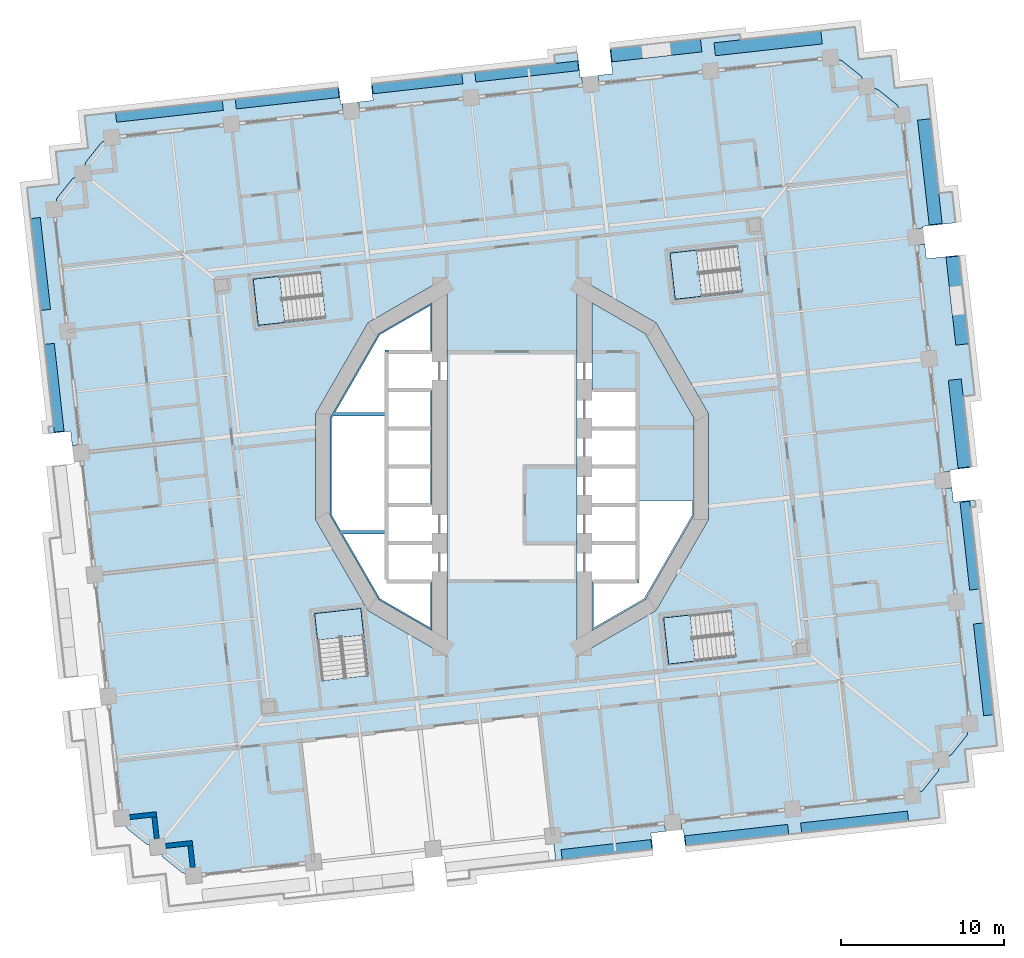
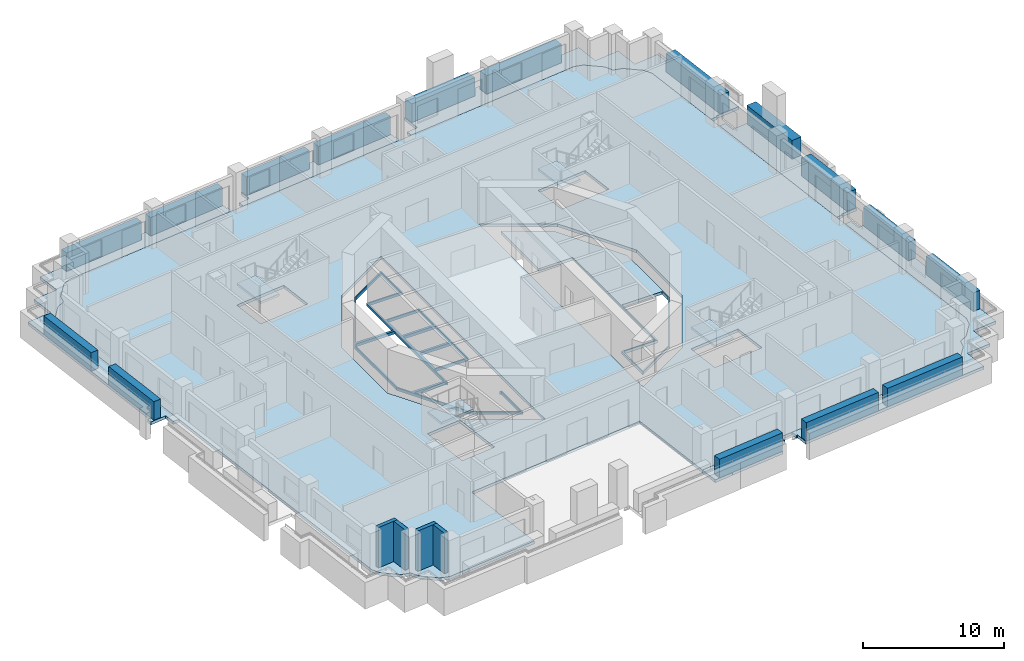
# One storey, part 3 of 18: 16 plates, 13 slabs, 4 walls, 4 elements without a shape of their own.
"""IFC4 building model written with IfcOpenShell, lengths in metres."""

import ifcopenshell
import ifcopenshell.guid

model = None  # the IFC model being written
_history = None  # IfcOwnerHistory: only IFC2X3 demands one
_inside = {}  # id of a spatial element -> (the spatial element, [elements in it])
_under = {}  # id of a project, library or spatial element -> (it, [spatial elements below it])
_declared = {}  # id of a project -> (the project, [libraries it declares])
_typed = {}  # id of a type object -> (the type object, [elements of that type])
_made_of = {}  # id of a material, layer set ... -> (it, [elements and type objects made of it])


def new_model(schema):
    """Start an empty IFC model of exactly this schema.

    Asked for "IFC4X3", IfcOpenShell would pick the latest addendum, in which some entities
    have other attributes; the version numbers below select the first issue.
    IFC2X3 requires an IfcOwnerHistory on every rooted entity: one is made here for all.
    """
    global model, _history
    if schema == "IFC4X3":
        model = ifcopenshell.file(schema_version=(4, 3, 0, 0))
    else:
        model = ifcopenshell.file(schema=schema)
    _inside.clear()
    _under.clear()
    _declared.clear()
    _typed.clear()
    _made_of.clear()
    _history = None
    if model.schema == "IFC2X3":
        org = make("IfcOrganization", Name="unknown")
        user = make(
            "IfcPersonAndOrganization",
            ThePerson=make("IfcPerson", FamilyName="unknown"),
            TheOrganization=org,
        )
        app = make(
            "IfcApplication",
            ApplicationDeveloper=org,
            Version="unknown",
            ApplicationFullName="unknown",
            ApplicationIdentifier="unknown",
        )
        _history = make(
            "IfcOwnerHistory",
            OwningUser=user,
            OwningApplication=app,
            ChangeAction="ADDED",
            CreationDate=0,
        )
    return model


def make(cls, **values):
    """One entity of the class cls with the attributes given. An attribute that is None is left unset."""
    return model.create_entity(
        cls, **{name: value for name, value in values.items() if value is not None}
    )


def rooted(cls, **values):
    """An entity with a GlobalId (a new one), such as an element, a storey or a relation."""
    return make(cls, GlobalId=ifcopenshell.guid.new(), OwnerHistory=_history, **values)


def si_unit(unit_type, name, prefix=None):
    """IfcSIUnit, for example si_unit("LENGTHUNIT", "METRE", prefix="MILLI")."""
    return make("IfcSIUnit", UnitType=unit_type, Prefix=prefix, Name=name)


def assignment(units):
    """IfcUnitAssignment: the units of a project."""
    return None if units is None else make("IfcUnitAssignment", Units=units)


def point(xyz):
    """IfcCartesianPoint."""
    return None if xyz is None else make("IfcCartesianPoint", Coordinates=xyz)


def direction(xyz):
    """IfcDirection."""
    return None if xyz is None else make("IfcDirection", DirectionRatios=xyz)


def frame(location, z_axis=None, x_axis=None):
    """IfcAxis2Placement3D, a coordinate frame: its origin and axes. An axis left out is left unset."""
    return make(
        "IfcAxis2Placement3D",
        Location=point(location),
        Axis=direction(z_axis),
        RefDirection=direction(x_axis),
    )


def frame_2d(location, x_axis=None):
    """IfcAxis2Placement2D, a coordinate frame in the plane: its origin and x axis."""
    return make(
        "IfcAxis2Placement2D", Location=point(location), RefDirection=direction(x_axis)
    )


def origin():
    """The frame at (0, 0, 0) with its axes left unset."""
    return frame((0.0, 0.0, 0.0))


def origin_2d():
    """The frame at (0, 0) in the plane with its x axis left unset."""
    return frame_2d((0.0, 0.0))


def place(relative_to, where):
    """IfcLocalPlacement: puts the frame where relative to a parent placement (None: the world)."""
    return make(
        "IfcLocalPlacement", PlacementRelTo=relative_to, RelativePlacement=where
    )


def context(
    kind, dimensions, precision=None, world=None, true_north=None, identifier=None
):
    """IfcGeometricRepresentationContext, for example the 3D "Model" context."""
    return make(
        "IfcGeometricRepresentationContext",
        ContextIdentifier=identifier,
        ContextType=kind,
        CoordinateSpaceDimension=dimensions,
        Precision=precision,
        WorldCoordinateSystem=world,
        TrueNorth=true_north,
    )


def subcontext(parent, identifier, kind, view, scale=None):
    """IfcGeometricRepresentationSubContext, for example "Body" below "Model"."""
    return make(
        "IfcGeometricRepresentationSubContext",
        ContextIdentifier=identifier,
        ContextType=kind,
        ParentContext=parent,
        TargetScale=scale,
        TargetView=view,
    )


def project(units=None, contexts=None):
    """IfcProject with its units and contexts."""
    return rooted(
        "IfcProject",
        Name="project",
        RepresentationContexts=contexts,
        UnitsInContext=assignment(units),
    )


def spatial(cls, under=None, at=None, **own):
    """A site, building, storey or space (cls), placed at a placement, below another one or the project."""
    s = rooted(cls, ObjectPlacement=at, **own)
    if under is not None:
        _under.setdefault(under.id(), (under, []))[1].append(s)
    return s


def polyline(points):
    """IfcPolyline through the points."""
    return make("IfcPolyline", Points=[point(p) for p in points])


def profile(cls, at=None, kind="AREA", **sizes):
    """A parametric profile (cls). Its sizes go by their IFC names, for example OverallWidth=200.0."""
    return make(cls, ProfileType=kind, Position=at, **sizes)


def rectangle(**sizes):
    """IfcRectangleProfileDef."""
    return profile("IfcRectangleProfileDef", **sizes)


def outline(outer, holes=None, kind="AREA"):
    """IfcArbitraryClosedProfileDef: a profile drawn as a closed curve; with holes, ...WithVoids."""
    if holes is None:
        return make("IfcArbitraryClosedProfileDef", ProfileType=kind, OuterCurve=outer)
    return make(
        "IfcArbitraryProfileDefWithVoids",
        ProfileType=kind,
        OuterCurve=outer,
        InnerCurves=holes,
    )


def extrude(swept, where, along, depth):
    """IfcExtrudedAreaSolid: the profile swept, set in the frame where, extruded along a direction by depth."""
    return make(
        "IfcExtrudedAreaSolid",
        SweptArea=swept,
        Position=where,
        ExtrudedDirection=direction(along),
        Depth=depth,
    )


def shape(context_of_items, identifier, shape_type, items):
    """IfcShapeRepresentation: the items that make up one representation, for example the "Body"."""
    return make(
        "IfcShapeRepresentation",
        ContextOfItems=context_of_items,
        RepresentationIdentifier=identifier,
        RepresentationType=shape_type,
        Items=items,
    )


def material(Name=None, Category=None):
    """IfcMaterial."""
    return make("IfcMaterial", Name=Name, Category=Category)


def layer(
    of_material, thickness, ventilated=None, Name=None, Category=None, Priority=None
):
    """IfcMaterialLayer: one layer of a wall or slab, of a material (None: an air gap)."""
    return make(
        "IfcMaterialLayer",
        Material=of_material,
        LayerThickness=thickness,
        IsVentilated=ventilated,
        Name=Name,
        Category=Category,
        Priority=Priority,
    )


def layer_set(layers, Name=None):
    """IfcMaterialLayerSet."""
    return make("IfcMaterialLayerSet", MaterialLayers=layers, LayerSetName=Name)


def made_of(thing, what):
    """Note that an element or type object is made of a material, layer set ...; save() writes the relation."""
    if what is not None:
        _made_of.setdefault(what.id(), (what, []))[1].append(thing)
    return thing


def type_object(cls, material=None, **own):
    """A type object (cls), such as IfcWallType, which elements share."""
    return made_of(rooted(cls, **own), material)


def element(
    cls,
    number,
    at=None,
    inside=None,
    cuts=None,
    type_object=None,
    material=None,
    context=None,
    identifier="Body",
    shape_type=None,
    held_by="IfcProductDefinitionShape",
    body=None,
    shapes=None,
    **own,
):
    """One element of the class cls, such as IfcWall. Its Tag is "e" and its number.

    at: its placement. inside: the storey or other place that contains it. cuts: it is an
    opening in that element (IfcRelVoidsElement). A single representation is given by context,
    identifier, shape_type and body (its items); several are given by shapes. held_by: the class
    of the entity that holds the representations. save() writes the other relations.
    """
    e = rooted(cls, Tag="e%d" % number, ObjectPlacement=at, **own)
    if body is not None:
        shapes = [shape(context, identifier, shape_type, body)]
    if shapes is not None:
        e.Representation = make(held_by, Representations=shapes)
    if inside is not None:
        _inside.setdefault(inside.id(), (inside, []))[1].append(e)
    if cuts is not None:
        rooted(
            "IfcRelVoidsElement", RelatingBuildingElement=cuts, RelatedOpeningElement=e
        )
    if type_object is not None:
        _typed.setdefault(type_object.id(), (type_object, []))[1].append(e)
    return made_of(e, material)


def aggregate(whole, parts):
    """IfcRelAggregates: a whole, such as a stair, and the parts it consists of."""
    return rooted("IfcRelAggregates", RelatingObject=whole, RelatedObjects=parts)


def save(model, path):
    """Write the relations noted so far, then the file.

    IfcRelAggregates (storeys below a building ...), IfcRelContainedInSpatialStructure (elements
    in a storey), IfcRelDefinesByType, IfcRelAssociatesMaterial and IfcRelDeclares: one each for
    every whole, place, type object, material and project.
    """
    for whole, parts in _under.values():
        aggregate(whole, parts)
    for where, things in _inside.values():
        rooted(
            "IfcRelContainedInSpatialStructure",
            RelatedElements=things,
            RelatingStructure=where,
        )
    for kind, things in _typed.values():
        rooted("IfcRelDefinesByType", RelatedObjects=things, RelatingType=kind)
    for what, things in _made_of.values():
        rooted("IfcRelAssociatesMaterial", RelatedObjects=things, RelatingMaterial=what)
    for by, libraries in _declared.values():
        rooted("IfcRelDeclares", RelatingContext=by, RelatedDefinitions=libraries)
    model.write(path)


model = new_model("IFC4")

# Units and contexts
model_context = context("Model", 3, precision=1e-05, world=origin(), true_north=direction((0.0, 1.0)))
body_context = subcontext(model_context, "Body", "Model", "MODEL_VIEW")
ifc_project = project(units=[si_unit("LENGTHUNIT", "METRE"), si_unit("AREAUNIT", "SQUARE_METRE"), si_unit("VOLUMEUNIT", "CUBIC_METRE"), si_unit("PLANEANGLEUNIT", "RADIAN"), si_unit("MASSUNIT", "GRAM", prefix="KILO")], contexts=[model_context])

# Site, building, storey
site_placement = place(None, origin())
site = spatial("IfcSite", under=ifc_project, at=site_placement, CompositionType="ELEMENT")
building_placement = place(site_placement, origin())
building = spatial("IfcBuilding", under=site, at=building_placement, Name="Cantera Rosa Tower", CompositionType="ELEMENT")
storey_placement = place(building_placement, frame((0.0, 0.0, 76.699951171875)))
storey = spatial("IfcBuildingStorey", under=building, at=storey_placement, Name="L16", CompositionType="ELEMENT", Elevation=76.699951171875)

# Slabs
ifc_material_1 = material(Name="Concrete C35/45", Category="concrete")
ifc_layer_1 = layer(ifc_material_1, 0.25)
ifc_layer_set_1 = layer_set([ifc_layer_1], Name="COMPOSITE FLOOR SLAB 250 C35/45")
slab_type_1 = type_object("IfcSlabType", Name="COMPOSITE FLOOR SLAB 250 C35/45", PredefinedType="FLOOR", material=ifc_layer_set_1)
slab_1_placement = place(storey_placement, frame((0.0, 0.0, -0.25)))
element("IfcSlab", 1, at=slab_1_placement, inside=storey, type_object=slab_type_1, Name="SLAB L16 floor 1", PredefinedType="FLOOR", context=body_context, shape_type="SweptSolid", body=[
    extrude(outline(polyline([(-8.106689453125, -8.106689453125), (-5.0, -9.900390625), (-5.0, -7.14990234375), (-5.0927734375, -7.050048828125), (-4.89990234375, -7.050048828125), (-4.89990234375, -10.07373046875), (-8.179931640625, -8.179931640625), (-11.174072265625, -2.994140625), (-11.174072265625, 2.994140625), (-8.179931640625, 8.179931640625), (-4.89990234375, 10.07373046875), (-4.89990234375, 7.050048828125), (-7.699951171875, 7.050048828125), (-7.699951171875, 4.699951171875), (-4.89990234375, 4.699951171875), (-4.89990234375, -2.35009765625), (-7.699951171875, -2.35009765625), (-7.699951171875, -4.2373046875), (-7.800048828125, -4.12939453125), (-10.403076171875, -4.12939453125), (-8.106689453125, -8.106689453125)]), holes=[polyline([(-7.60009765625, -2.25), (-5.0, -2.25), (-5.0, -0.10009765625), (-7.60009765625, -0.10009765625), (-7.60009765625, -2.25)]), polyline([(-11.07421875, -2.96728515625), (-10.5185546875, -3.929443359375), (-7.800048828125, -3.929443359375), (-7.800048828125, -2.449951171875), (-7.800048828125, -2.25), (-7.800048828125, 2.25), (-7.800048828125, 2.449951171875), (-7.800048828125, 3.12353515625), (-10.98388671875, 3.12353515625), (-11.07421875, 2.96728515625), (-11.07421875, -2.96728515625)]), polyline([(-5.0, 0.10009765625), (-5.0, 2.25), (-7.60009765625, 2.25), (-7.60009765625, 0.10009765625), (-5.0, 0.10009765625)]), polyline([(-5.0, 2.449951171875), (-5.0, 4.60009765625), (-7.60009765625, 4.60009765625), (-7.60009765625, 2.449951171875), (-5.0, 2.449951171875)]), polyline([(-10.868408203125, 3.323486328125), (-7.800048828125, 3.323486328125), (-7.800048828125, 7.14990234375), (-5.0, 7.14990234375), (-5.0, 9.900390625), (-8.106689453125, 8.106689453125), (-10.868408203125, 3.323486328125)])]), origin(), (0.0, 0.0, 1.0), 0.25),
])
slab_2_placement = place(storey_placement, frame((0.0, 0.0, -0.25)))
element("IfcSlab", 2, at=slab_2_placement, inside=storey, type_object=slab_type_1, Name="SLAB L16 floor 2", PredefinedType="FLOOR", context=body_context, shape_type="SweptSolid", body=[
    extrude(outline(polyline([(-21.39306640625, -24.018798828125), (-21.415283203125, -23.999267578125), (-21.435302734375, -23.9775390625), (-21.453125, -23.9541015625), (-21.468505859375, -23.92919921875), (-21.7578125, -23.342529296875), (-22.393310546875, -23.18896484375), (-22.42138671875, -23.179443359375), (-22.447998046875, -23.1669921875), (-22.473388671875, -23.15234375), (-22.497314453125, -23.135009765625), (-23.6015625, -22.25146484375), (-23.62353515625, -22.23193359375), (-23.643798828125, -22.21044921875), (-23.66162109375, -22.18701171875), (-23.677001953125, -22.161865234375), (-23.96630859375, -21.575439453125), (-28.114013671875, 15.795166015625), (-27.960205078125, 16.4306640625), (-27.95068359375, 16.45849609375), (-27.9384765625, 16.4853515625), (-27.923583984375, 16.5107421875), (-27.906494140625, 16.53466796875), (-27.022705078125, 17.638916015625), (-27.00341796875, 17.660888671875), (-26.981689453125, 17.680908203125), (-26.958251953125, 17.69873046875), (-26.933349609375, 17.714111328125), (-26.3466796875, 18.00341796875), (-26.193115234375, 18.63916015625), (-26.18359375, 18.6669921875), (-26.17138671875, 18.693603515625), (-26.156494140625, 18.71923828125), (-26.139404296875, 18.742919921875), (-25.255615234375, 19.84716796875), (-25.236083984375, 19.869384765625), (-25.214599609375, 19.889404296875), (-25.191162109375, 19.9072265625), (-25.166015625, 19.922607421875), (-24.57958984375, 20.2119140625), (18.642578125, 25.00927734375), (19.54931640625, 25.10986328125), (20.18505859375, 24.9560546875), (20.212890625, 24.946533203125), (20.239501953125, 24.934326171875), (20.26513671875, 24.91943359375), (20.288818359375, 24.902099609375), (21.39306640625, 24.018798828125), (21.415283203125, 23.999267578125), (21.435302734375, 23.9775390625), (21.453125, 23.9541015625), (21.468505859375, 23.92919921875), (21.7578125, 23.342529296875), (22.393310546875, 23.18896484375), (22.42138671875, 23.179443359375), (22.447998046875, 23.1669921875), (22.473388671875, 23.15234375), (22.497314453125, 23.135009765625), (23.6015625, 22.25146484375), (23.62353515625, 22.23193359375), (23.643798828125, 22.21044921875), (23.66162109375, 22.18701171875), (23.677001953125, 22.161865234375), (23.96630859375, 21.575439453125), (28.114013671875, -15.795166015625), (27.960205078125, -16.4306640625), (27.95068359375, -16.45849609375), (27.9384765625, -16.4853515625), (27.923583984375, -16.5107421875), (27.906494140625, -16.53466796875), (27.022705078125, -17.638916015625), (27.00341796875, -17.660888671875), (26.981689453125, -17.680908203125), (26.958251953125, -17.69873046875), (26.933349609375, -17.714111328125), (26.3466796875, -18.00341796875), (26.193115234375, -18.63916015625), (26.18359375, -18.6669921875), (26.17138671875, -18.693603515625), (26.156494140625, -18.71923828125), (26.139404296875, -18.742919921875), (25.255615234375, -19.84716796875), (25.236083984375, -19.869384765625), (25.214599609375, -19.889404296875), (25.191162109375, -19.9072265625), (25.166015625, -19.922607421875), (24.57958984375, -20.2119140625), (2.51513671875, -22.660888671875), (1.687744140625, -15.20654296875), (-13.02197265625, -16.839111328125), (-12.194580078125, -24.29345703125), (-18.642578125, -25.00927734375), (-19.54931640625, -25.10986328125), (-20.18505859375, -24.9560546875), (-20.212890625, -24.946533203125), (-20.239501953125, -24.934326171875), (-20.26513671875, -24.91943359375), (-20.288818359375, -24.902099609375), (-21.39306640625, -24.018798828125)]), holes=[polyline([(-9.287109375, -8.709716796875), (-12.11962890625, -9.02392578125), (-11.6630859375, -13.13671875), (-8.83056640625, -12.822265625), (-9.287109375, -8.709716796875)]), polyline([(-12.07421875, 3.235107421875), (-12.07421875, -3.235107421875), (-8.8388671875, -8.8388671875), (-4.0, -11.632568359375), (-4.0, 11.632568359375), (-8.8388671875, 8.8388671875), (-12.07421875, 3.235107421875)]), polyline([(-15.890380859375, 11.512939453125), (-15.575927734375, 8.680419921875), (-11.46337890625, 9.13671875), (-11.777587890625, 11.969482421875), (-15.890380859375, 11.512939453125)]), polyline([(9.3095703125, -9.287109375), (9.6240234375, -12.11962890625), (13.73681640625, -11.6630859375), (13.42236328125, -8.83056640625), (9.3095703125, -9.287109375)]), polyline([(8.8388671875, -8.8388671875), (12.07421875, -3.235107421875), (12.07421875, 3.235107421875), (8.8388671875, 8.8388671875), (4.0, 11.632568359375), (4.0, -11.632568359375), (8.8388671875, -8.8388671875)]), polyline([(13.822265625, 13.5693359375), (9.709716796875, 13.11279296875), (10.02392578125, 10.2802734375), (14.13671875, 10.73681640625), (13.822265625, 13.5693359375)])]), origin(), (0.0, 0.0, 1.0), 0.25),
])
slab_3_placement = place(storey_placement, frame((0.0, 0.0, -0.25)))
element("IfcSlab", 3, at=slab_3_placement, inside=storey, type_object=slab_type_1, Name="SLAB L16 floor 3", PredefinedType="FLOOR", context=body_context, shape_type="SweptSolid", body=[
    extrude(outline(polyline([(7.699951171875, -2.35009765625), (7.699951171875, 0.0), (7.699951171875, 2.35009765625), (7.699951171875, 4.699951171875), (4.89990234375, 4.699951171875), (4.89990234375, 10.07373046875), (8.179931640625, 8.179931640625), (11.174072265625, 2.994140625), (11.174072265625, -2.994140625), (8.179931640625, -8.179931640625), (4.89990234375, -10.07373046875), (4.89990234375, -7.050048828125), (7.699951171875, -7.050048828125), (7.699951171875, -4.699951171875), (7.699951171875, -2.35009765625)]), holes=[polyline([(7.800048828125, -2.449951171875), (7.800048828125, -7.14990234375), (5.0, -7.14990234375), (5.0, -9.900390625), (8.106689453125, -8.106689453125), (11.07421875, -2.96728515625), (11.07421875, -2.11474609375), (7.800048828125, -2.11474609375), (7.800048828125, -2.25), (7.800048828125, -2.449951171875)])]), origin(), (0.0, 0.0, 1.0), 0.25),
])
ifc_material_2 = material(Name="Concrete C35/45", Category="concrete")
ifc_layer_2 = layer(ifc_material_2, 0.25)
ifc_layer_set_2 = layer_set([ifc_layer_2], Name="LOGGIA SLAB 250 C35/45")
slab_type_2 = type_object("IfcSlabType", Name="LOGGIA SLAB 250 C35/45", PredefinedType="FLOOR", material=ifc_layer_set_2)
slab_4_placement = place(storey_placement, frame((0.0, 0.0, -0.25)))
element("IfcSlab", 4, at=slab_4_placement, inside=storey, type_object=slab_type_2, Name="LOGGIA SLAB L16 2", PredefinedType="FLOOR", context=body_context, shape_type="SweptSolid", body=[
    extrude(outline(polyline([(-29.770263671875, 17.12060546875), (-28.279296875, 17.285888671875), (-27.782470703125, 17.341064453125), (-27.837646484375, 17.837890625), (-28.003173828125, 19.328857421875), (-26.51220703125, 19.494384765625), (-26.015380859375, 19.549560546875), (-26.070556640625, 20.04638671875), (-26.236083984375, 21.537353515625), (-24.7451171875, 21.702880859375), (-18.881103515625, 22.353515625), (-15.8994140625, 22.6845703125), (-11.5263671875, 23.169921875), (-10.6318359375, 23.269287109375), (-10.521484375, 22.275390625), (-10.422119140625, 22.286376953125), (-10.366943359375, 21.789306640625), (-24.57958984375, 20.2119140625), (-25.166015625, 19.922607421875), (-25.191162109375, 19.9072265625), (-25.214599609375, 19.889404296875), (-25.236083984375, 19.869384765625), (-25.255615234375, 19.84716796875), (-26.139404296875, 18.742919921875), (-26.156494140625, 18.71923828125), (-26.17138671875, 18.693603515625), (-26.18359375, 18.6669921875), (-26.193115234375, 18.63916015625), (-26.3466796875, 18.00341796875), (-26.933349609375, 17.714111328125), (-26.958251953125, 17.69873046875), (-26.981689453125, 17.680908203125), (-27.00341796875, 17.660888671875), (-27.022705078125, 17.638916015625), (-27.906494140625, 16.53466796875), (-27.923583984375, 16.5107421875), (-27.9384765625, 16.4853515625), (-27.95068359375, 16.45849609375), (-27.960205078125, 16.4306640625), (-28.114013671875, 15.795166015625), (-26.510009765625, 1.34375), (-27.007080078125, 1.288818359375), (-27.106201171875, 2.18310546875), (-28.409423828125, 2.03857421875), (-28.454833984375, 2.447265625), (-28.1455078125, 2.481689453125), (-28.60986328125, 6.664794921875), (-28.940673828125, 9.646240234375), (-29.604736328125, 15.629638671875), (-29.770263671875, 17.12060546875)])), origin(), (0.0, 0.0, 1.0), 0.25),
])
slab_5_placement = place(storey_placement, frame((0.0, 0.0, -0.25)))
element("IfcSlab", 5, at=slab_5_placement, inside=storey, type_object=slab_type_2, Name="LOGGIA SLAB L16 4", PredefinedType="FLOOR", context=body_context, shape_type="SweptSolid", body=[
    extrude(outline(polyline([(4.01953125, 25.4267578125), (4.188232421875, 23.907958984375), (4.28759765625, 23.9189453125), (4.3427734375, 23.422119140625), (-9.373046875, 21.899658203125), (-9.42822265625, 22.396484375), (-8.53369140625, 22.495849609375), (-8.64404296875, 23.48974609375), (-8.544677734375, 23.5009765625), (-4.19287109375, 23.98388671875), (-4.1953125, 24.005126953125), (2.656005859375, 24.765625), (2.60009765625, 25.269287109375), (4.01953125, 25.4267578125)])), origin(), (0.0, 0.0, 1.0), 0.25),
])
slab_6_placement = place(storey_placement, frame((0.0, 0.0, -0.25)))
element("IfcSlab", 6, at=slab_6_placement, inside=storey, type_object=slab_type_2, Name="LOGGIA SLAB L16 5", PredefinedType="FLOOR", context=body_context, shape_type="SweptSolid", body=[
    extrude(outline(polyline([(8.544677734375, -23.5009765625), (4.19287109375, -23.98388671875), (4.1953125, -24.005126953125), (2.68310546875, -24.173095703125), (2.51513671875, -22.660888671875), (9.373046875, -21.899658203125), (9.42822265625, -22.396484375), (8.53369140625, -22.495849609375), (8.64404296875, -23.48974609375), (8.544677734375, -23.5009765625)])), origin(), (0.0, 0.0, 1.0), 0.25),
])
slab_7_placement = place(storey_placement, frame((0.0, 0.0, -0.25)))
element("IfcSlab", 7, at=slab_7_placement, inside=storey, type_object=slab_type_2, Name="LOGGIA SLAB L16 6", PredefinedType="FLOOR", context=body_context, shape_type="SweptSolid", body=[
    extrude(outline(polyline([(21.272216796875, 24.999267578125), (21.5703125, 25.0322265625), (23.260009765625, 25.2197265625), (23.447509765625, 23.5302734375), (23.48046875, 23.23193359375), (23.77880859375, 23.26513671875), (25.46826171875, 23.45263671875), (25.65576171875, 21.762939453125), (26.208984375, 16.780029296875), (27.010498046875, 16.869140625), (27.220947265625, 14.97412109375), (25.2265625, 14.752685546875), (25.237548828125, 14.653564453125), (24.740478515625, 14.598388671875), (23.96630859375, 21.575439453125), (23.677001953125, 22.161865234375), (23.66162109375, 22.18701171875), (23.643798828125, 22.21044921875), (23.62353515625, 22.23193359375), (23.6015625, 22.25146484375), (22.497314453125, 23.135009765625), (22.473388671875, 23.15234375), (22.447998046875, 23.1669921875), (22.42138671875, 23.179443359375), (22.393310546875, 23.18896484375), (21.7578125, 23.342529296875), (21.468505859375, 23.92919921875), (21.453125, 23.9541015625), (21.435302734375, 23.9775390625), (21.415283203125, 23.999267578125), (21.39306640625, 24.018798828125), (20.288818359375, 24.902099609375), (20.26513671875, 24.91943359375), (20.239501953125, 24.934326171875), (20.212890625, 24.946533203125), (20.18505859375, 24.9560546875), (19.54931640625, 25.10986328125), (18.642578125, 25.00927734375), (5.336669921875, 23.5322265625), (5.281494140625, 24.029296875), (6.176025390625, 24.12841796875), (6.00732421875, 25.6474609375), (13.98681640625, 26.533203125), (14.02294921875, 26.206787109375), (19.36181640625, 26.79931640625), (21.051513671875, 26.98681640625), (21.239013671875, 25.29736328125), (21.272216796875, 24.999267578125)])), origin(), (0.0, 0.0, 1.0), 0.25),
])
slab_8_placement = place(storey_placement, frame((0.0, 0.0, -0.25)))
element("IfcSlab", 8, at=slab_8_placement, inside=storey, type_object=slab_type_2, Name="LOGGIA SLAB L16 7", PredefinedType="FLOOR", context=body_context, shape_type="SweptSolid", body=[
    extrude(outline(polyline([(29.770263671875, -17.12060546875), (28.279296875, -17.285888671875), (27.782470703125, -17.341064453125), (27.837646484375, -17.837890625), (28.003173828125, -19.328857421875), (26.51220703125, -19.494384765625), (26.015380859375, -19.549560546875), (26.070556640625, -20.04638671875), (26.236083984375, -21.537353515625), (24.7451171875, -21.702880859375), (18.881103515625, -22.353515625), (15.8994140625, -22.6845703125), (11.5263671875, -23.169921875), (10.6318359375, -23.269287109375), (10.521484375, -22.275390625), (10.422119140625, -22.286376953125), (10.366943359375, -21.789306640625), (24.57958984375, -20.2119140625), (25.166015625, -19.922607421875), (25.191162109375, -19.9072265625), (25.214599609375, -19.889404296875), (25.236083984375, -19.869384765625), (25.255615234375, -19.84716796875), (26.139404296875, -18.742919921875), (26.156494140625, -18.71923828125), (26.17138671875, -18.693603515625), (26.18359375, -18.6669921875), (26.193115234375, -18.63916015625), (26.3466796875, -18.00341796875), (26.933349609375, -17.714111328125), (26.958251953125, -17.69873046875), (26.981689453125, -17.680908203125), (27.00341796875, -17.660888671875), (27.022705078125, -17.638916015625), (27.906494140625, -16.53466796875), (27.923583984375, -16.5107421875), (27.9384765625, -16.4853515625), (27.95068359375, -16.45849609375), (27.960205078125, -16.4306640625), (28.114013671875, -15.795166015625), (26.510009765625, -1.34375), (27.007080078125, -1.288818359375), (27.106201171875, -2.18310546875), (28.409423828125, -2.03857421875), (28.454833984375, -2.447265625), (28.1455078125, -2.481689453125), (28.60986328125, -6.664794921875), (28.940673828125, -9.646240234375), (29.604736328125, -15.629638671875), (29.770263671875, -17.12060546875)])), origin(), (0.0, 0.0, 1.0), 0.25),
])
slab_9_placement = place(storey_placement, frame((0.0, 0.0, -0.25)))
element("IfcSlab", 9, at=slab_9_placement, inside=storey, type_object=slab_type_2, Name="LOGGIA SLAB L16 8", PredefinedType="FLOOR", context=body_context, shape_type="SweptSolid", body=[
    extrude(outline(polyline([(26.399658203125, -0.349853515625), (24.850830078125, 13.6044921875), (25.347900390625, 13.65966796875), (25.447265625, 12.764892578125), (27.44140625, 12.986328125), (28.39306640625, 4.41259765625), (27.701904296875, 4.335693359375), (28.18896484375, -0.05078125), (26.885498046875, -0.1953125), (26.896728515625, -0.294921875), (26.399658203125, -0.349853515625)])), origin(), (0.0, 0.0, 1.0), 0.25),
])

# Plates
ifc_material_3 = material(Name="Cantera stone planter with soil", Category="masonry")
plate_type_1 = type_object("IfcPlateType", Name="PLANTER 600", PredefinedType="USERDEFINED", material=ifc_material_3)
plate_1_placement = place(storey_placement, frame((28.94970703125, -12.447509765625, 0.0), z_axis=(0.0, 0.0, 1.0), x_axis=(-0.110312555526, 0.993896946415, 0.0)))
element("IfcPlate", 10, at=plate_1_placement, inside=storey, type_object=plate_type_1, Name="PLANTER L16-01", ObjectType="PLANTER", PredefinedType="USERDEFINED", context=body_context, shape_type="SweptSolid", body=[
    extrude(rectangle(XDim=5.669921875, YDim=0.60009765625, at=origin_2d()), origin(), (0.0, 0.0, 1.0), 1.60009765625),
])
plate_2_placement = place(storey_placement, frame((28.1064453125, -4.84912109375, 0.0), z_axis=(0.0, 0.0, 1.0), x_axis=(-0.110312555526, 0.993896946415, 0.0)))
element("IfcPlate", 11, at=plate_2_placement, inside=storey, type_object=plate_type_1, Name="PLANTER L16-02", ObjectType="PLANTER", PredefinedType="USERDEFINED", context=body_context, shape_type="SweptSolid", body=[
    extrude(rectangle(XDim=5.419921875, YDim=0.60009765625, at=origin_2d()), origin(), (0.0, 0.0, 1.0), 1.60009765625),
])
plate_3_placement = place(storey_placement, frame((0.9033203125, 24.269287109375, 0.0), z_axis=(0.0, 0.0, 1.0), x_axis=(-0.993896946415, -0.110312555526, 0.0)))
element("IfcPlate", 12, at=plate_3_placement, inside=storey, type_object=plate_type_1, Name="PLANTER L16-08", ObjectType="PLANTER", PredefinedType="USERDEFINED", context=body_context, shape_type="SweptSolid", body=[
    extrude(rectangle(XDim=6.35009765625, YDim=0.60009765625, at=origin_2d()), origin(), (0.0, 0.0, 1.0), 1.60009765625),
])
plate_4_placement = place(storey_placement, frame((-5.80322265625, 23.503173828125, 0.0), z_axis=(0.0, 0.0, 1.0), x_axis=(-0.993896946415, -0.110312555526, 0.0)))
element("IfcPlate", 13, at=plate_4_placement, inside=storey, type_object=plate_type_1, Name="PLANTER L16-09", ObjectType="PLANTER", PredefinedType="USERDEFINED", context=body_context, shape_type="SweptSolid", body=[
    extrude(rectangle(XDim=5.550048828125, YDim=0.60009765625, at=origin_2d()), origin(), (0.0, 0.0, 1.0), 1.60009765625),
])
plate_5_placement = place(storey_placement, frame((-13.803955078125, 22.615234375, 0.0), z_axis=(0.0, 0.0, 1.0), x_axis=(-0.993896946415, -0.110312555526, 0.0)))
element("IfcPlate", 14, at=plate_5_placement, inside=storey, type_object=plate_type_1, Name="PLANTER L16-10", ObjectType="PLANTER", PredefinedType="USERDEFINED", context=body_context, shape_type="SweptSolid", body=[
    extrude(rectangle(XDim=6.35009765625, YDim=0.60009765625, at=origin_2d()), origin(), (0.0, 0.0, 1.0), 1.60009765625),
])
plate_6_placement = place(storey_placement, frame((-21.03466796875, 21.812744140625, 0.0), z_axis=(0.0, 0.0, 1.0), x_axis=(-0.993896946415, -0.110312555526, 0.0)))
element("IfcPlate", 15, at=plate_6_placement, inside=storey, type_object=plate_type_1, Name="PLANTER L16-11", ObjectType="PLANTER", PredefinedType="USERDEFINED", context=body_context, shape_type="SweptSolid", body=[
    extrude(rectangle(XDim=6.60009765625, YDim=0.60009765625, at=origin_2d()), origin(), (0.0, 0.0, 1.0), 1.60009765625),
])
plate_7_placement = place(storey_placement, frame((-28.94970703125, 12.447509765625, 0.0), z_axis=(0.0, 0.0, 1.0), x_axis=(0.110312555526, -0.993896946415, 0.0)))
element("IfcPlate", 16, at=plate_7_placement, inside=storey, type_object=plate_type_1, Name="PLANTER L16-12", ObjectType="PLANTER", PredefinedType="USERDEFINED", context=body_context, shape_type="SweptSolid", body=[
    extrude(rectangle(XDim=5.669921875, YDim=0.60009765625, at=origin_2d()), origin(), (0.0, 0.0, 1.0), 1.60009765625),
])
plate_8_placement = place(storey_placement, frame((-28.1064453125, 4.84912109375, 0.0), z_axis=(0.0, 0.0, 1.0), x_axis=(0.110312555526, -0.993896946415, 0.0)))
element("IfcPlate", 17, at=plate_8_placement, inside=storey, type_object=plate_type_1, Name="PLANTER L16-13", ObjectType="PLANTER", PredefinedType="USERDEFINED", context=body_context, shape_type="SweptSolid", body=[
    extrude(rectangle(XDim=5.419921875, YDim=0.60009765625, at=origin_2d()), origin(), (0.0, 0.0, 1.0), 1.60009765625),
])
plate_9_placement = place(storey_placement, frame((5.80322265625, -23.503173828125, 0.0), z_axis=(0.0, 0.0, 1.0), x_axis=(0.993896946415, 0.110312555526, 0.0)))
element("IfcPlate", 18, at=plate_9_placement, inside=storey, type_object=plate_type_1, Name="PLANTER L16-20", ObjectType="PLANTER", PredefinedType="USERDEFINED", context=body_context, shape_type="SweptSolid", body=[
    extrude(rectangle(XDim=5.550048828125, YDim=0.60009765625, at=origin_2d()), origin(), (0.0, 0.0, 1.0), 1.60009765625),
])
plate_10_placement = place(storey_placement, frame((13.803955078125, -22.615234375, 0.0), z_axis=(0.0, 0.0, 1.0), x_axis=(0.993896946415, 0.110312555526, 0.0)))
element("IfcPlate", 19, at=plate_10_placement, inside=storey, type_object=plate_type_1, Name="PLANTER L16-21", ObjectType="PLANTER", PredefinedType="USERDEFINED", context=body_context, shape_type="SweptSolid", body=[
    extrude(rectangle(XDim=6.35009765625, YDim=0.60009765625, at=origin_2d()), origin(), (0.0, 0.0, 1.0), 1.60009765625),
])
plate_11_placement = place(storey_placement, frame((21.03466796875, -21.812744140625, 0.0), z_axis=(0.0, 0.0, 1.0), x_axis=(0.993896946415, 0.110312555526, 0.0)))
element("IfcPlate", 20, at=plate_11_placement, inside=storey, type_object=plate_type_1, Name="PLANTER L16-22", ObjectType="PLANTER", PredefinedType="USERDEFINED", context=body_context, shape_type="SweptSolid", body=[
    extrude(rectangle(XDim=6.60009765625, YDim=0.60009765625, at=origin_2d()), origin(), (0.0, 0.0, 1.0), 1.60009765625),
])
ifc_material_4 = material(Name="Cantera stone planter with soil", Category="masonry")
plate_type_2 = type_object("IfcPlateType", Name="PLANTER 800", PredefinedType="USERDEFINED", material=ifc_material_4)
for number, where, z_axis, x_axis, name in (
    (21, (27.48681640625, 2.648193359375, 0.0), (0.0, 0.0, 1.0), (-0.110312555526, 0.993896946415, 0.0), "PLANTER L16-03"),
    (22, (27.348388671875, 10.19921875, 0.0), (0.0, 0.0, 1.0), (-0.110312555526, 0.993896946415, 0.0), "PLANTER L16-04"),
):
    element("IfcPlate", number, at=place(storey_placement, frame(where, z_axis=z_axis, x_axis=x_axis)), inside=storey, type_object=plate_type_2, Name=name, ObjectType="PLANTER", PredefinedType="USERDEFINED", context=body_context, shape_type="SweptSolid", body=[
        extrude(rectangle(XDim=5.419921875, YDim=0.800048828125, at=origin_2d()), origin(), (0.0, 0.0, 1.0), 1.60009765625),
    ])
plate_12_placement = place(storey_placement, frame((25.6591796875, 18.10595703125, 0.0), z_axis=(0.0, 0.0, 1.0), x_axis=(-0.110312555526, 0.993896946415, 0.0)))
element("IfcPlate", 23, at=plate_12_placement, inside=storey, type_object=plate_type_2, Name="PLANTER L16-05", ObjectType="PLANTER", PredefinedType="USERDEFINED", context=body_context, shape_type="SweptSolid", body=[
    extrude(rectangle(XDim=6.469970703125, YDim=0.800048828125, at=origin_2d()), origin(), (0.0, 0.0, 1.0), 1.60009765625),
])
plate_13_placement = place(storey_placement, frame((15.728515625, 25.99365234375, 0.0), z_axis=(0.0, 0.0, 1.0), x_axis=(-0.993896946415, -0.110312555526, 0.0)))
element("IfcPlate", 24, at=plate_13_placement, inside=storey, type_object=plate_type_2, Name="PLANTER L16-06", ObjectType="PLANTER", PredefinedType="USERDEFINED", context=body_context, shape_type="SweptSolid", body=[
    extrude(rectangle(XDim=6.60009765625, YDim=0.800048828125, at=origin_2d()), origin(), (0.0, 0.0, 1.0), 1.60009765625),
])
plate_14_placement = place(storey_placement, frame((8.859375, 25.5615234375, 0.0), z_axis=(0.0, 0.0, 1.0), x_axis=(-0.993896946415, -0.110312555526, 0.0)))
element("IfcPlate", 25, at=plate_14_placement, inside=storey, type_object=plate_type_2, Name="PLANTER L16-07", ObjectType="PLANTER", PredefinedType="USERDEFINED", context=body_context, shape_type="SweptSolid", body=[
    extrude(rectangle(XDim=5.550048828125, YDim=0.800048828125, at=origin_2d()), origin(), (0.0, 0.0, 1.0), 1.60009765625),
])

# Stair, slab
ifc_material_5 = material(Name="Concrete C35/45", Category="concrete")
stair_type = type_object("IfcStairType", Name="EXIT STAIR 1350 DOGLEG", PredefinedType="HALF_TURN_STAIR", material=ifc_material_5)
stair_1_placement = place(storey_placement, origin())
stair_1 = element("IfcStair", 26, at=stair_1_placement, inside=storey, type_object=stair_type, Name="L16 ST-11", PredefinedType="HALF_TURN_STAIR")
ifc_material_6 = material(Name="Concrete C35/45", Category="concrete")
ifc_layer_3 = layer(ifc_material_6, 0.199951171875)
ifc_layer_set_3 = layer_set([ifc_layer_3], Name="STAIR LANDING 200")
slab_type_3 = type_object("IfcSlabType", Name="STAIR LANDING 200", PredefinedType="LANDING", material=ifc_layer_set_3)
slab_10_placement = place(storey_placement, frame((0.0, 0.0, 1.699951171875)))
slab_10 = element("IfcSlab", 27, at=slab_10_placement, type_object=slab_type_3, Name="ST-11 landing 1", PredefinedType="LANDING", context=body_context, shape_type="SweptSolid", body=[
    extrude(outline(polyline([(11.341552734375, 13.294189453125), (9.70947265625, 13.113037109375), (10.02392578125, 10.2802734375), (11.656005859375, 10.46142578125), (11.341552734375, 13.294189453125)])), origin(), (0.0, 0.0, 1.0), 0.2001953125),
])
aggregate(stair_1, [slab_10])

stair_2_placement = place(storey_placement, origin())
stair_2 = element("IfcStair", 28, at=stair_2_placement, inside=storey, type_object=stair_type, Name="L16 ST-12", PredefinedType="HALF_TURN_STAIR")
slab_11_placement = place(storey_placement, frame((0.0, 0.0, 1.699951171875)))
slab_11 = element("IfcSlab", 29, at=slab_11_placement, type_object=slab_type_3, Name="ST-12 landing 1", PredefinedType="LANDING", context=body_context, shape_type="SweptSolid", body=[
    extrude(outline(polyline([(-14.258544921875, 11.694091796875), (-15.890380859375, 11.512939453125), (-15.575927734375, 8.680419921875), (-13.944091796875, 8.861572265625), (-14.258544921875, 11.694091796875)])), origin(), (0.0, 0.0, 1.0), 0.2001953125),
])
aggregate(stair_2, [slab_11])

stair_3_placement = place(storey_placement, origin())
stair_3 = element("IfcStair", 30, at=stair_3_placement, inside=storey, type_object=stair_type, Name="L16 ST-13", PredefinedType="HALF_TURN_STAIR")
slab_12_placement = place(storey_placement, frame((0.0, 0.0, 1.699951171875)))
slab_12 = element("IfcSlab", 31, at=slab_12_placement, type_object=slab_type_3, Name="ST-13 landing 1", PredefinedType="LANDING", context=body_context, shape_type="SweptSolid", body=[
    extrude(outline(polyline([(-9.10595703125, -10.341552734375), (-9.287109375, -8.70947265625), (-12.11962890625, -9.02392578125), (-11.9384765625, -10.656005859375), (-9.10595703125, -10.341552734375)])), origin(), (0.0, 0.0, 1.0), 0.2001953125),
])
aggregate(stair_3, [slab_12])

stair_4_placement = place(storey_placement, origin())
stair_4 = element("IfcStair", 32, at=stair_4_placement, inside=storey, type_object=stair_type, Name="L16 ST-14", PredefinedType="HALF_TURN_STAIR")
slab_13_placement = place(storey_placement, frame((0.0, 0.0, 1.699951171875)))
slab_13 = element("IfcSlab", 33, at=slab_13_placement, type_object=slab_type_3, Name="ST-14 landing 1", PredefinedType="LANDING", context=body_context, shape_type="SweptSolid", body=[
    extrude(outline(polyline([(10.941650390625, -9.10595703125), (9.3095703125, -9.287109375), (9.6240234375, -12.11962890625), (11.255859375, -11.9384765625), (10.941650390625, -9.10595703125)])), origin(), (0.0, 0.0, 1.0), 0.2001953125),
])
aggregate(stair_4, [slab_13])

# Walls
ifc_material_7 = material(Name="Hollow clay masonry with cantera stone cladding", Category="masonry")
ifc_layer_4 = layer(ifc_material_7, 0.300048828125)
ifc_layer_set_4 = layer_set([ifc_layer_4], Name="EW-LOGGIA 300")
wall_type = type_object("IfcWallType", Name="EW-LOGGIA 300", PredefinedType="SOLIDWALL", material=ifc_layer_set_4)
wall_1_placement = place(storey_placement, frame((-23.46923828125, -21.520263671875, 0.0), z_axis=(0.0, 0.0, 1.0), x_axis=(0.993905369514, 0.110236638423, 0.0)))
element("IfcWall", 34, at=wall_1_placement, inside=storey, type_object=wall_type, Name="EN-L16-W21a", PredefinedType="SOLIDWALL", context=body_context, shape_type="SweptSolid", body=[
    extrude(rectangle(XDim=1.64990234375, YDim=0.300048828125, at=frame_2d((0.824951171875, 0.0))), origin(), (0.0, 0.0, 1.0), 3.5),
])
wall_2_placement = place(storey_placement, frame((-21.9619140625, -21.50390625, 0.0), z_axis=(0.0, 0.0, 1.0), x_axis=(0.110312435488, -0.993896959738, 0.0)))
element("IfcWall", 35, at=wall_2_placement, inside=storey, type_object=wall_type, Name="EN-L16-W21b", PredefinedType="SOLIDWALL", context=body_context, shape_type="SweptSolid", body=[
    extrude(rectangle(XDim=1.35009765625, YDim=0.300048828125, at=frame_2d((0.675048828125, 0.0))), origin(), (0.0, 0.0, 1.0), 3.5),
])
wall_3_placement = place(storey_placement, frame((-21.2607421875, -23.287353515625, 0.0), z_axis=(0.0, 0.0, 1.0), x_axis=(0.993905369514, 0.110236638423, 0.0)))
element("IfcWall", 36, at=wall_3_placement, inside=storey, type_object=wall_type, Name="EN-L16-W22a", PredefinedType="SOLIDWALL", context=body_context, shape_type="SweptSolid", body=[
    extrude(rectangle(XDim=1.64990234375, YDim=0.300048828125, at=frame_2d((0.824951171875, 0.0))), origin(), (0.0, 0.0, 1.0), 3.5),
])
wall_4_placement = place(storey_placement, frame((-19.75341796875, -23.27099609375, 0.0), z_axis=(0.0, 0.0, 1.0), x_axis=(0.110312435488, -0.993896959738, 0.0)))
element("IfcWall", 37, at=wall_4_placement, inside=storey, type_object=wall_type, Name="EN-L16-W22b", PredefinedType="SOLIDWALL", context=body_context, shape_type="SweptSolid", body=[
    extrude(rectangle(XDim=1.35009765625, YDim=0.300048828125, at=frame_2d((0.675048828125, 0.0))), origin(), (0.0, 0.0, 1.0), 3.5),
])

save(model, "model.ifc")
